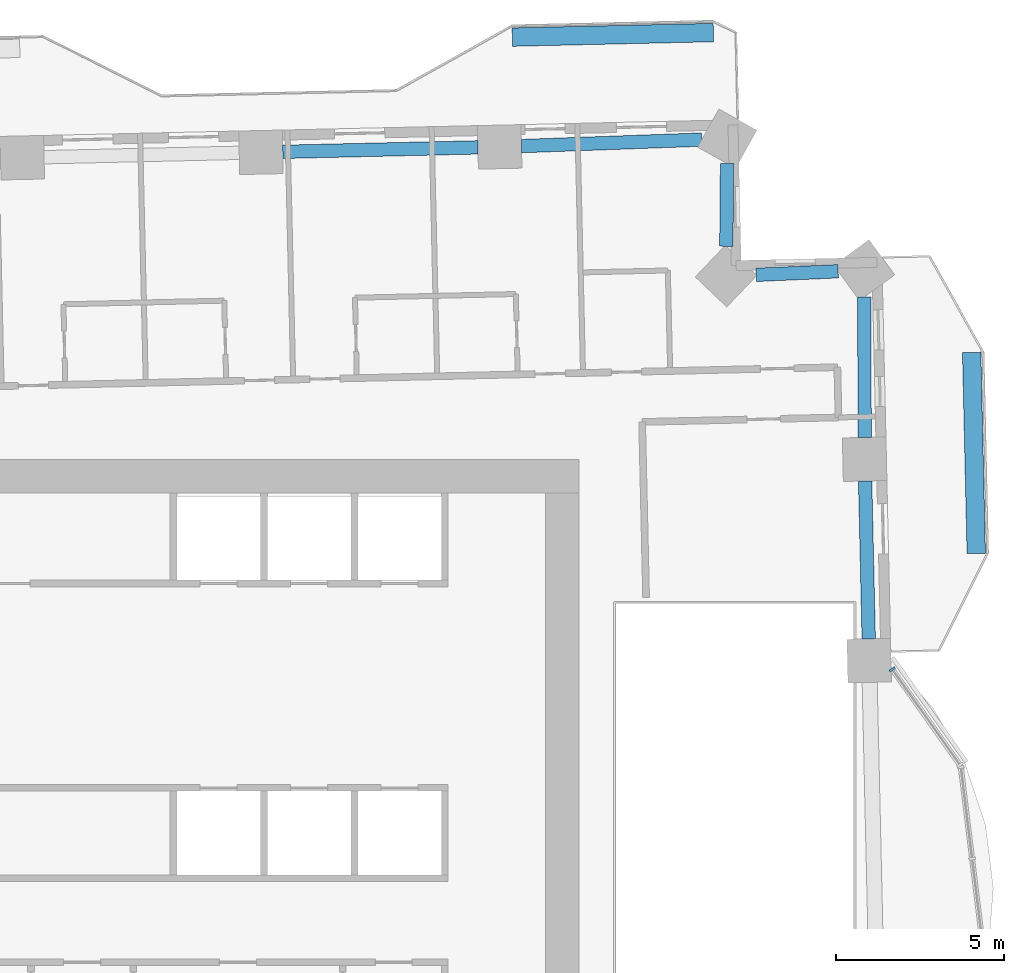
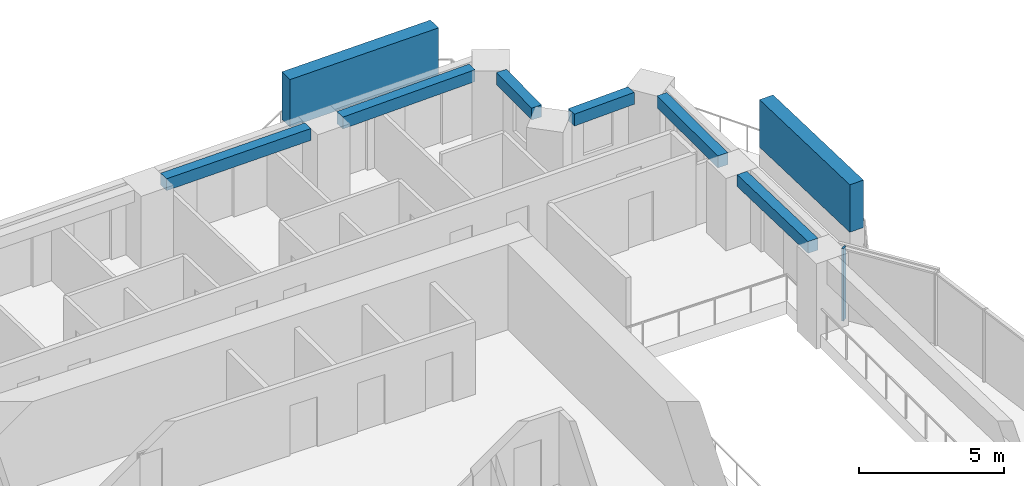
# One storey, part 4 of 16: 6 beams, 3 members, 1 element without a shape of its own.
"""IFC4 building model written with IfcOpenShell, lengths in metres."""

from ifc_helpers import new_model, si_unit, direction, frame, origin, origin_2d, place, context, subcontext, project, spatial, rectangle, extrude, material, material_profile, profile_set, type_object, element, aggregate, save


model = new_model("IFC4")

# Units and contexts
model_context = context("Model", 3, precision=1e-05, world=origin(), true_north=direction((0.0, 1.0)))
body_context = subcontext(model_context, "Body", "Model", "MODEL_VIEW")
ifc_project = project(units=[si_unit("LENGTHUNIT", "METRE"), si_unit("AREAUNIT", "SQUARE_METRE"), si_unit("VOLUMEUNIT", "CUBIC_METRE"), si_unit("PLANEANGLEUNIT", "RADIAN"), si_unit("MASSUNIT", "GRAM", prefix="KILO")], contexts=[model_context])

# Site, building, storey
site_placement = place(None, origin())
site = spatial("IfcSite", under=ifc_project, at=site_placement, CompositionType="ELEMENT")
building_placement = place(site_placement, origin())
building = spatial("IfcBuilding", under=site, at=building_placement, Name="Mangrove Gate Tower", CompositionType="ELEMENT")
storey_placement = place(building_placement, frame((0.0, 0.0, 133.699951171875)))
storey = spatial("IfcBuildingStorey", under=building, at=storey_placement, Name="L33", CompositionType="ELEMENT", Elevation=133.699951171875)

# Curtain wall, member
ifc_material_1 = material(Name="Aluminium and glass curtain wall", Category="aluminium")
curtain_wall_type = type_object("IfcCurtainWallType", Name="Atrium garden-court glazing wall", PredefinedType="NOTDEFINED", material=ifc_material_1)
curtain_wall_placement = place(storey_placement, origin())
curtain_wall = element("IfcCurtainWall", 1, at=curtain_wall_placement, inside=storey, type_object=curtain_wall_type, Name="Atrium garden-court glazing E1f3", PredefinedType="NOTDEFINED")
ifc_material_2 = material(Name="Aluminium alloy 6063-T6", Category="aluminium")
ifc_material_profile_1 = material_profile(ifc_material_2, rectangle(XDim=0.070068359375, YDim=0.199951171875, at=origin_2d()))
ifc_profile_set_1 = profile_set([ifc_material_profile_1], Name="Aluminium alloy 6063-T6")
member_type_1 = type_object("IfcMemberType", Name="Atrium garden-court glazing mullion 70x200", PredefinedType="MULLION", material=ifc_profile_set_1)
member_1_placement = place(storey_placement, frame((24.144775390625, 5.53759765625, 0.0), z_axis=(0.0, 0.0, 1.0), x_axis=(-0.578132252952, 0.815943072828, 0.0)))
member_1 = element("IfcMember", 2, at=member_1_placement, type_object=member_type_1, Name="CWA mullion 2", PredefinedType="MULLION", context=body_context, shape_type="SweptSolid", body=[
    extrude(rectangle(XDim=0.070068359375, YDim=0.199951171875, at=origin_2d()), origin(), (0.0, 0.0, 1.0), 3.050048828125),
])
aggregate(curtain_wall, [member_1])

# Members
ifc_material_3 = material(Name="Planting on aluminium trellis", Category="aluminium")
ifc_material_profile_2 = material_profile(ifc_material_3, rectangle(XDim=0.550048828125, YDim=2.0, at=origin_2d()))
ifc_profile_set_2 = profile_set([ifc_material_profile_2], Name="Planting on aluminium trellis")
member_type_2 = type_object("IfcMemberType", Name="Balcony greenery screen 550x2000", PredefinedType="USERDEFINED", material=ifc_profile_set_2)
member_2_placement = place(storey_placement, frame((26.653076171875, 8.993896484375, 1.800048828125), z_axis=(-0.022665943652, 0.999743094499, 0.0), x_axis=(-0.999743094499, -0.022665943652, 0.0)))
element("IfcMember", 3, at=member_2_placement, inside=storey, type_object=member_type_2, Name="GREEN SCREEN L33 E1.1", ObjectType="PLANTING", PredefinedType="USERDEFINED", context=body_context, shape_type="SweptSolid", body=[
    extrude(rectangle(XDim=0.550048828125, YDim=2.0, at=origin_2d()), origin(), (0.0, 0.0, 1.0), 5.99951171875),
])
member_3_placement = place(storey_placement, frame((12.81201171875, 24.39892578125, 1.800048828125), z_axis=(0.999743178102, 0.022662255828, 0.0), x_axis=(-0.022662255828, 0.999743178102, 0.0)))
element("IfcMember", 4, at=member_3_placement, inside=storey, type_object=member_type_2, Name="GREEN SCREEN L33 N0.1", ObjectType="PLANTING", PredefinedType="USERDEFINED", context=body_context, shape_type="SweptSolid", body=[
    extrude(rectangle(XDim=0.550048828125, YDim=2.0, at=origin_2d()), origin(), (0.0, 0.0, 1.0), 6.00048828125),
])

# Beams
ifc_material_4 = material(Name="Concrete C50/60", Category="concrete")
ifc_material_profile_3 = material_profile(ifc_material_4, rectangle(XDim=0.39990234375, YDim=0.5, at=origin_2d()))
ifc_profile_set_3 = profile_set([ifc_material_profile_3], Name="Concrete C50/60")
beam_type = type_object("IfcBeamType", Name="Edge beam RC 400x500 C50/60", PredefinedType="BEAM", material=ifc_profile_set_3)
beam_1_placement = place(storey_placement, frame((23.444580078125, 6.446044921875, 2.800048828125), z_axis=(-0.022643720968, 0.999743598079, 0.0), x_axis=(-0.999743598079, -0.022643720968, 0.0)))
element("IfcBeam", 5, at=beam_1_placement, inside=storey, type_object=beam_type, Name="Edge beam L33 15", PredefinedType="BEAM", context=body_context, shape_type="SweptSolid", body=[
    extrude(rectangle(XDim=0.39990234375, YDim=0.5, at=origin_2d()), origin(), (0.0, 0.0, 1.0), 4.711669921875),
])
beam_2_placement = place(storey_placement, frame((23.322021484375, 12.45654296875, 2.800048828125), z_axis=(-0.001866103585, 0.999998258827, 0.0), x_axis=(-0.999998258827, -0.001866103585, 0.0)))
element("IfcBeam", 6, at=beam_2_placement, inside=storey, type_object=beam_type, Name="Edge beam L33 16", PredefinedType="BEAM", context=body_context, shape_type="SweptSolid", body=[
    extrude(rectangle(XDim=0.39990234375, YDim=0.5, at=origin_2d()), origin(), (0.0, 0.0, 1.0), 4.1865234375),
])
beam_3_placement = place(storey_placement, frame((22.531982421875, 17.41357421875, 2.800048828125), z_axis=(-0.999039321051, -0.04382276798, 0.0), x_axis=(0.04382276798, -0.999039321051, 0.0)))
element("IfcBeam", 7, at=beam_3_placement, inside=storey, type_object=beam_type, Name="Edge beam L33 17", PredefinedType="BEAM", context=body_context, shape_type="SweptSolid", body=[
    extrude(rectangle(XDim=0.39990234375, YDim=0.5, at=origin_2d()), origin(), (0.0, 0.0, 1.0), 2.44580078125),
])
beam_4_placement = place(storey_placement, frame((19.19677734375, 18.15869140625, 2.800048828125), z_axis=(0.008702202125, 0.999962135122, 0.0), x_axis=(-0.999962135122, 0.008702202125, 0.0)))
element("IfcBeam", 8, at=beam_4_placement, inside=storey, type_object=beam_type, Name="Edge beam L33 18", PredefinedType="BEAM", context=body_context, shape_type="SweptSolid", body=[
    extrude(rectangle(XDim=0.39990234375, YDim=0.5, at=origin_2d()), origin(), (0.0, 0.0, 1.0), 2.46875),
])
beam_5_placement = place(storey_placement, frame((18.464599609375, 21.34130859375, 2.800048828125), z_axis=(-0.999351539582, -0.036006948424, 0.0), x_axis=(0.036006948424, -0.999351539582, 0.0)))
element("IfcBeam", 9, at=beam_5_placement, inside=storey, type_object=beam_type, Name="Edge beam L33 19", PredefinedType="BEAM", context=body_context, shape_type="SweptSolid", body=[
    extrude(rectangle(XDim=0.39990234375, YDim=0.5, at=origin_2d()), origin(), (0.0, 0.0, 1.0), 5.383544921875),
])
beam_6_placement = place(storey_placement, frame((11.784912109375, 21.109375, 2.800048828125), z_axis=(-0.999741835545, -0.022721405353, 0.0), x_axis=(0.022721405353, -0.999741835545, 0.0)))
element("IfcBeam", 10, at=beam_6_placement, inside=storey, type_object=beam_type, Name="Edge beam L33 20", PredefinedType="BEAM", context=body_context, shape_type="SweptSolid", body=[
    extrude(rectangle(XDim=0.39990234375, YDim=0.5, at=origin_2d()), origin(), (0.0, 0.0, 1.0), 5.82373046875),
])

save(model, "model.ifc")
